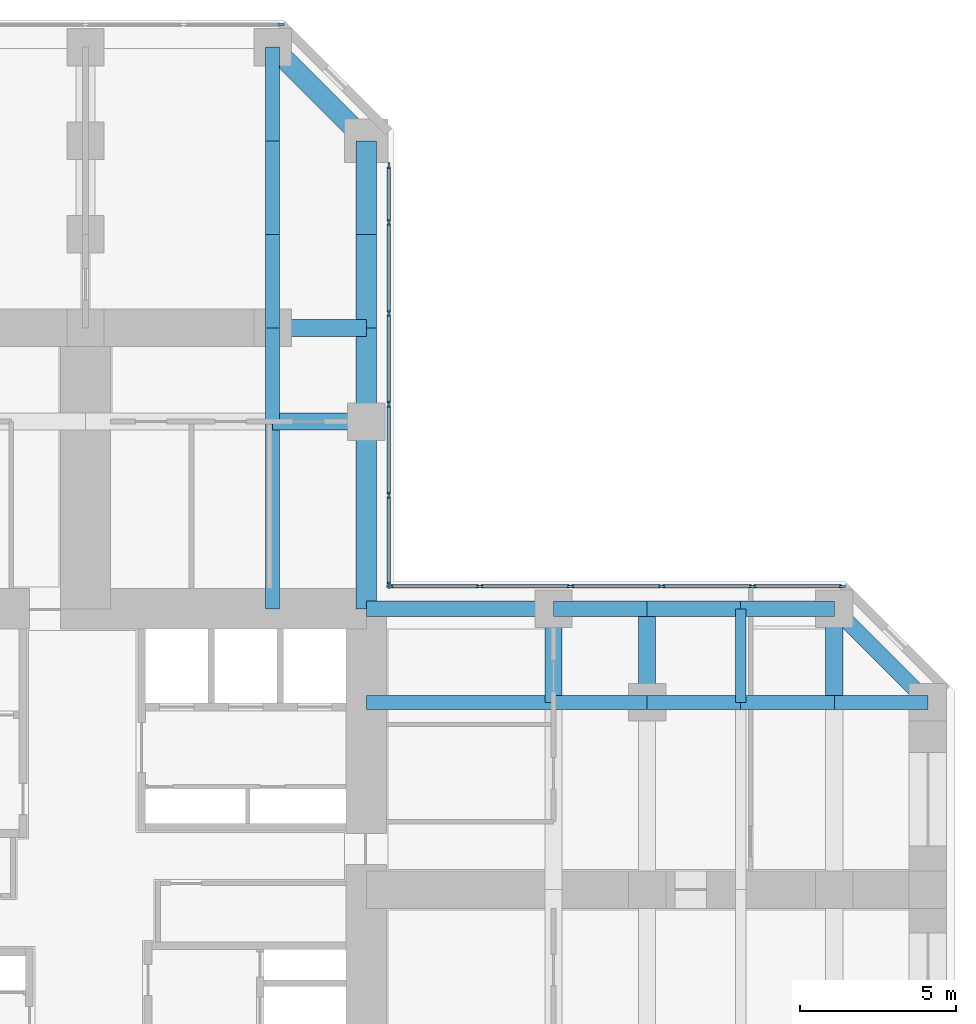
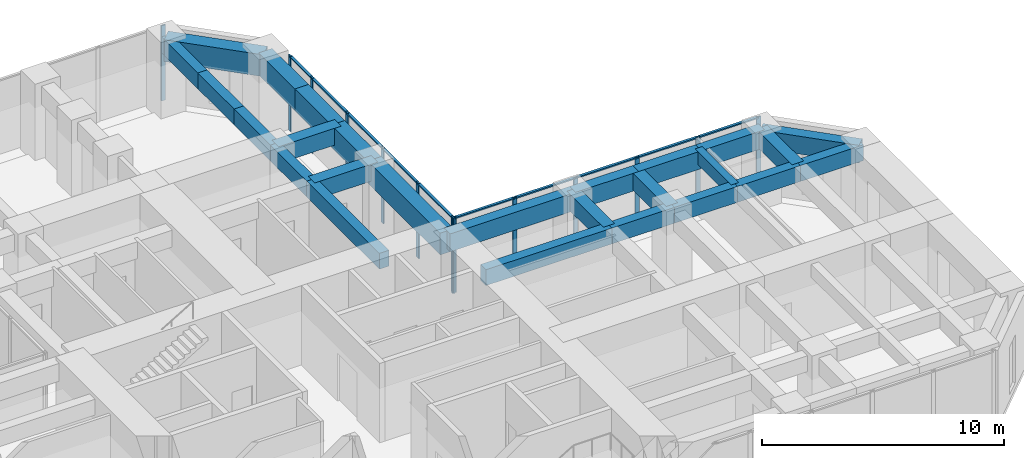
# One storey, part 6 of 12: 26 beams, 23 members, 3 elements without a shape of their own.
"""IFC4 building model written with IfcOpenShell, lengths in metres."""

from ifc_helpers import new_model, si_unit, direction, frame, origin, origin_2d, place, context, subcontext, project, spatial, rectangle, extrude, material, material_profile, profile_set, type_object, element, aggregate, save


model = new_model("IFC4")

# Units and contexts
model_context = context("Model", 3, precision=1e-05, world=origin(), true_north=direction((0.0, 1.0)))
body_context = subcontext(model_context, "Body", "Model", "MODEL_VIEW")
ifc_project = project(units=[si_unit("LENGTHUNIT", "METRE"), si_unit("AREAUNIT", "SQUARE_METRE"), si_unit("VOLUMEUNIT", "CUBIC_METRE"), si_unit("PLANEANGLEUNIT", "RADIAN"), si_unit("MASSUNIT", "GRAM", prefix="KILO")], contexts=[model_context])

# Site, building, storey
site_placement = place(None, origin())
site = spatial("IfcSite", under=ifc_project, at=site_placement, CompositionType="ELEMENT")
building_placement = place(site_placement, origin())
building = spatial("IfcBuilding", under=site, at=building_placement, Name="Torre Cruceta", CompositionType="ELEMENT")
storey_placement = place(building_placement, frame((0.0, 0.0, 79.5)))
storey = spatial("IfcBuildingStorey", under=building, at=storey_placement, Name="L19", CompositionType="ELEMENT", Elevation=79.5)

# Beams
ifc_material_1 = material(Name="Concrete G60 (fck 60 MPa)", Category="concrete")
ifc_material_profile_1 = material_profile(ifc_material_1, rectangle(XDim=0.449951171875, YDim=0.800048828125, at=origin_2d()), Name="RC 450X800")
ifc_profile_set_1 = profile_set([ifc_material_profile_1], Name="Concrete G60 (fck 60 MPa)")
beam_type_1 = type_object("IfcBeamType", Name="COLUMN LINE BEAM RC 450X800", PredefinedType="BEAM", material=ifc_profile_set_1)
beam_1_placement = place(storey_placement, frame((6.0, 9.0, 3.39990234375), z_axis=(0.0, 1.0, 0.0), x_axis=(-1.0, 0.0, 0.0)))
element("IfcBeam", 1, at=beam_1_placement, inside=storey, type_object=beam_type_1, Name="LB1 L19 N col- 1", PredefinedType="BEAM", context=body_context, shape_type="SweptSolid", body=[
    extrude(rectangle(XDim=0.449951171875, YDim=0.800048828125, at=origin_2d()), origin(), (0.0, 0.0, 1.0), 6.0),
])
for number, where, z_axis, x_axis, name in (
    (2, (6.0, 15.0, 3.39990234375), (0.0, 1.0, 0.0), (-1.0, 0.0, 0.0), "LB1 L19 N col- 2"),
    (3, (6.0, 18.0, 3.39990234375), (0.0, 1.0, 0.0), (-1.0, 0.0, 0.0), "LB1 L19 N col- 3"),
    (4, (6.0, 21.0, 3.39990234375), (0.0, 1.0, 0.0), (-1.0, 0.0, 0.0), "LB1 L19 N col- 4"),
    (5, (6.0, 24.0, 3.39990234375), (0.0, 1.0, 0.0), (-1.0, 0.0, 0.0), "LB1 L19 N col- 5"),
):
    element("IfcBeam", number, at=place(storey_placement, frame(where, z_axis=z_axis, x_axis=x_axis)), inside=storey, type_object=beam_type_1, Name=name, PredefinedType="BEAM", context=body_context, shape_type="SweptSolid", body=[
        extrude(rectangle(XDim=0.449951171875, YDim=0.800048828125, at=origin_2d()), origin(), (0.0, 0.0, 1.0), 3.0),
    ])
beam_2_placement = place(storey_placement, frame((9.0, 6.0, 3.39990234375), z_axis=(1.0, 0.0, 0.0), x_axis=(0.0, 1.0, 0.0)))
element("IfcBeam", 6, at=beam_2_placement, inside=storey, type_object=beam_type_1, Name="LB1 L19 E col+ 1", PredefinedType="BEAM", context=body_context, shape_type="SweptSolid", body=[
    extrude(rectangle(XDim=0.449951171875, YDim=0.800048828125, at=origin_2d()), origin(), (0.0, 0.0, 1.0), 6.0),
])
for number, where, z_axis, x_axis, name in (
    (7, (15.0, 6.0, 3.39990234375), (1.0, 0.0, 0.0), (0.0, 1.0, 0.0), "LB1 L19 E col+ 2"),
    (8, (18.0, 6.0, 3.39990234375), (1.0, 0.0, 0.0), (0.0, 1.0, 0.0), "LB1 L19 E col+ 3"),
    (9, (21.0, 6.0, 3.39990234375), (1.0, 0.0, 0.0), (0.0, 1.0, 0.0), "LB1 L19 E col+ 4"),
    (10, (24.0, 6.0, 3.39990234375), (1.0, 0.0, 0.0), (0.0, 1.0, 0.0), "LB1 L19 E col+ 5"),
):
    element("IfcBeam", number, at=place(storey_placement, frame(where, z_axis=z_axis, x_axis=x_axis)), inside=storey, type_object=beam_type_1, Name=name, PredefinedType="BEAM", context=body_context, shape_type="SweptSolid", body=[
        extrude(rectangle(XDim=0.449951171875, YDim=0.800048828125, at=origin_2d()), origin(), (0.0, 0.0, 1.0), 3.0),
    ])
ifc_material_2 = material(Name="Concrete G60 (fck 60 MPa)", Category="concrete")
ifc_material_profile_2 = material_profile(ifc_material_2, rectangle(XDim=0.550048828125, YDim=0.85009765625, at=origin_2d()), Name="RC 550X850")
ifc_profile_set_2 = profile_set([ifc_material_profile_2], Name="Concrete G60 (fck 60 MPa)")
beam_type_2 = type_object("IfcBeamType", Name="CROSS BEAM RC 550X850", PredefinedType="BEAM", material=ifc_profile_set_2)
for number, where, z_axis, x_axis, name in (
    (11, (9.0, 15.0, 3.375), (-1.0, 0.0, 0.0), (0.0, -1.0, 0.0), "GB4 L19 N cross15 1"),
    (12, (9.0, 18.0, 3.375), (-1.0, 0.0, 0.0), (0.0, -1.0, 0.0), "GB4 L19 N cross18 1"),
    (13, (15.0, 6.0, 3.375), (0.0, 1.0, 0.0), (-1.0, 0.0, 0.0), "GB4 L19 E cross15 4"),
    (14, (18.0, 6.0, 3.375), (0.0, 1.0, 0.0), (-1.0, 0.0, 0.0), "GB4 L19 E cross18 4"),
    (15, (24.0, 6.0, 3.375), (0.0, 1.0, 0.0), (-1.0, 0.0, 0.0), "GB4 L19 E cross24 4"),
):
    element("IfcBeam", number, at=place(storey_placement, frame(where, z_axis=z_axis, x_axis=x_axis)), inside=storey, type_object=beam_type_2, Name=name, PredefinedType="BEAM", context=body_context, shape_type="SweptSolid", body=[
        extrude(rectangle(XDim=0.550048828125, YDim=0.85009765625, at=origin_2d()), origin(), (0.0, 0.0, 1.0), 3.0),
    ])

# Curtain wall, members
ifc_material_3 = material(Name="Aluminium unitised curtain wall", Category="aluminium")
curtain_wall_type = type_object("IfcCurtainWallType", Name="CURTAIN WALL CW-A OFFICE LOW RISE", PredefinedType="USERDEFINED", material=ifc_material_3)
curtain_wall_1_placement = place(storey_placement, origin())
curtain_wall_1 = element("IfcCurtainWall", 16, at=curtain_wall_1_placement, inside=storey, type_object=curtain_wall_type, Name="CW-A L19 E side 04", ObjectType="UNITISED", PredefinedType="USERDEFINED")
ifc_material_4 = material(Name="Aluminium mullion", Category="aluminium")
ifc_material_profile_3 = material_profile(ifc_material_4, rectangle(XDim=0.06494140625, YDim=0.199951171875, at=origin_2d()), Name="AL 65X200")
ifc_profile_set_3 = profile_set([ifc_material_profile_3], Name="Aluminium mullion")
member_type_1 = type_object("IfcMemberType", Name="CW-A MULLION 65X200", PredefinedType="MULLION", material=ifc_profile_set_3)
member_1_placement = place(storey_placement, frame((24.265625, 9.719970703125, 0.0), z_axis=(0.0, 0.0, 1.0), x_axis=(0.0, -1.0, 0.0)))
member_1 = element("IfcMember", 17, at=member_1_placement, type_object=member_type_1, Name="CW-A mullion 1", PredefinedType="MULLION", context=body_context, shape_type="SweptSolid", body=[
    extrude(rectangle(XDim=0.06494140625, YDim=0.199951171875, at=origin_2d()), origin(), (0.0, 0.0, 1.0), 3.800048828125),
])
member_2_placement = place(storey_placement, frame((21.382568359375, 9.719970703125, 0.0), z_axis=(0.0, 0.0, 1.0), x_axis=(0.0, -1.0, 0.0)))
member_2 = element("IfcMember", 18, at=member_2_placement, type_object=member_type_1, Name="CW-A mullion 2", PredefinedType="MULLION", context=body_context, shape_type="SweptSolid", body=[
    extrude(rectangle(XDim=0.06494140625, YDim=0.199951171875, at=origin_2d()), origin(), (0.0, 0.0, 1.0), 3.800048828125),
])
member_3_placement = place(storey_placement, frame((18.467041015625, 9.719970703125, 0.0), z_axis=(0.0, 0.0, 1.0), x_axis=(0.0, -1.0, 0.0)))
member_3 = element("IfcMember", 19, at=member_3_placement, type_object=member_type_1, Name="CW-A mullion 3", PredefinedType="MULLION", context=body_context, shape_type="SweptSolid", body=[
    extrude(rectangle(XDim=0.06494140625, YDim=0.199951171875, at=origin_2d()), origin(), (0.0, 0.0, 1.0), 3.800048828125),
])
member_4_placement = place(storey_placement, frame((15.55126953125, 9.719970703125, 0.0), z_axis=(0.0, 0.0, 1.0), x_axis=(0.0, -1.0, 0.0)))
member_4 = element("IfcMember", 20, at=member_4_placement, type_object=member_type_1, Name="CW-A mullion 4", PredefinedType="MULLION", context=body_context, shape_type="SweptSolid", body=[
    extrude(rectangle(XDim=0.06494140625, YDim=0.199951171875, at=origin_2d()), origin(), (0.0, 0.0, 1.0), 3.800048828125),
])
member_5_placement = place(storey_placement, frame((12.6357421875, 9.719970703125, 0.0), z_axis=(0.0, 0.0, 1.0), x_axis=(0.0, -1.0, 0.0)))
member_5 = element("IfcMember", 21, at=member_5_placement, type_object=member_type_1, Name="CW-A mullion 5", PredefinedType="MULLION", context=body_context, shape_type="SweptSolid", body=[
    extrude(rectangle(XDim=0.06494140625, YDim=0.199951171875, at=origin_2d()), origin(), (0.0, 0.0, 1.0), 3.800048828125),
])
member_6_placement = place(storey_placement, frame((9.75244140625, 9.719970703125, 0.0), z_axis=(0.0, 0.0, 1.0), x_axis=(0.0, -1.0, 0.0)))
member_6 = element("IfcMember", 22, at=member_6_placement, type_object=member_type_1, Name="CW-A mullion 6", PredefinedType="MULLION", context=body_context, shape_type="SweptSolid", body=[
    extrude(rectangle(XDim=0.06494140625, YDim=0.199951171875, at=origin_2d()), origin(), (0.0, 0.0, 1.0), 3.800048828125),
])

curtain_wall_2_placement = place(storey_placement, origin())
curtain_wall_2 = element("IfcCurtainWall", 23, at=curtain_wall_2_placement, inside=storey, type_object=curtain_wall_type, Name="CW-A L19 N side 05", ObjectType="UNITISED", PredefinedType="USERDEFINED")
member_7_placement = place(storey_placement, frame((9.719970703125, 9.75244140625, 0.0), z_axis=(0.0, 0.0, 1.0), x_axis=(-1.0, 0.0, 0.0)))
member_7 = element("IfcMember", 24, at=member_7_placement, type_object=member_type_1, Name="CW-A mullion 1", PredefinedType="MULLION", context=body_context, shape_type="SweptSolid", body=[
    extrude(rectangle(XDim=0.06494140625, YDim=0.199951171875, at=origin_2d()), origin(), (0.0, 0.0, 1.0), 3.800048828125),
])
member_8_placement = place(storey_placement, frame((9.719970703125, 12.6357421875, 0.0), z_axis=(0.0, 0.0, 1.0), x_axis=(-1.0, 0.0, 0.0)))
member_8 = element("IfcMember", 25, at=member_8_placement, type_object=member_type_1, Name="CW-A mullion 2", PredefinedType="MULLION", context=body_context, shape_type="SweptSolid", body=[
    extrude(rectangle(XDim=0.06494140625, YDim=0.199951171875, at=origin_2d()), origin(), (0.0, 0.0, 1.0), 3.800048828125),
])
member_9_placement = place(storey_placement, frame((9.719970703125, 15.55126953125, 0.0), z_axis=(0.0, 0.0, 1.0), x_axis=(-1.0, 0.0, 0.0)))
member_9 = element("IfcMember", 26, at=member_9_placement, type_object=member_type_1, Name="CW-A mullion 3", PredefinedType="MULLION", context=body_context, shape_type="SweptSolid", body=[
    extrude(rectangle(XDim=0.06494140625, YDim=0.199951171875, at=origin_2d()), origin(), (0.0, 0.0, 1.0), 3.800048828125),
])
member_10_placement = place(storey_placement, frame((9.719970703125, 18.467041015625, 0.0), z_axis=(0.0, 0.0, 1.0), x_axis=(-1.0, 0.0, 0.0)))
member_10 = element("IfcMember", 27, at=member_10_placement, type_object=member_type_1, Name="CW-A mullion 4", PredefinedType="MULLION", context=body_context, shape_type="SweptSolid", body=[
    extrude(rectangle(XDim=0.06494140625, YDim=0.199951171875, at=origin_2d()), origin(), (0.0, 0.0, 1.0), 3.800048828125),
])
member_11_placement = place(storey_placement, frame((9.719970703125, 21.382568359375, 0.0), z_axis=(0.0, 0.0, 1.0), x_axis=(-1.0, 0.0, 0.0)))
member_11 = element("IfcMember", 28, at=member_11_placement, type_object=member_type_1, Name="CW-A mullion 5", PredefinedType="MULLION", context=body_context, shape_type="SweptSolid", body=[
    extrude(rectangle(XDim=0.06494140625, YDim=0.199951171875, at=origin_2d()), origin(), (0.0, 0.0, 1.0), 3.800048828125),
])
member_12_placement = place(storey_placement, frame((9.719970703125, 23.198974609375, 0.0), z_axis=(0.0, 0.0, 1.0), x_axis=(-1.0, 0.0, 0.0)))
member_12 = element("IfcMember", 29, at=member_12_placement, type_object=member_type_1, Name="CW-A mullion 6", PredefinedType="MULLION", context=body_context, shape_type="SweptSolid", body=[
    extrude(rectangle(XDim=0.06494140625, YDim=0.199951171875, at=origin_2d()), origin(), (0.0, 0.0, 1.0), 3.800048828125),
])

# Curtain wall, member
curtain_wall_3_placement = place(storey_placement, origin())
curtain_wall_3 = element("IfcCurtainWall", 30, at=curtain_wall_3_placement, inside=storey, type_object=curtain_wall_type, Name="CW-A L19 N tip 07", ObjectType="UNITISED", PredefinedType="USERDEFINED")
member_13_placement = place(storey_placement, frame((6.265625, 27.719970703125, 0.0), z_axis=(0.0, 0.0, 1.0), x_axis=(0.0, -1.0, 0.0)))
member_13 = element("IfcMember", 31, at=member_13_placement, type_object=member_type_1, Name="CW-A mullion 1", PredefinedType="MULLION", context=body_context, shape_type="SweptSolid", body=[
    extrude(rectangle(XDim=0.06494140625, YDim=0.199951171875, at=origin_2d()), origin(), (0.0, 0.0, 1.0), 3.800048828125),
])
aggregate(curtain_wall_3, [member_13])

# Member
ifc_material_5 = material(Name="Aluminium transom", Category="aluminium")
ifc_material_profile_4 = material_profile(ifc_material_5, rectangle(XDim=0.1201171875, YDim=0.06494140625, at=origin_2d()), Name="AL 120X65")
ifc_profile_set_4 = profile_set([ifc_material_profile_4], Name="Aluminium transom")
member_type_2 = type_object("IfcMemberType", Name="CW-A TRANSOM 65X120", PredefinedType="USERDEFINED", material=ifc_profile_set_4)
member_14_placement = place(storey_placement, frame((24.233154296875, 9.719970703125, 3.767578125), z_axis=(-1.0, 0.0, 0.0), x_axis=(0.0, -1.0, 0.0)))
member_14 = element("IfcMember", 32, at=member_14_placement, type_object=member_type_2, Name="CW-A transom 1", ObjectType="TRANSOM", PredefinedType="USERDEFINED", context=body_context, shape_type="SweptSolid", body=[
    extrude(rectangle(XDim=0.1201171875, YDim=0.06494140625, at=origin_2d()), origin(), (0.0, 0.0, 1.0), 2.818115234375),
])

member_15_placement = place(storey_placement, frame((21.35009765625, 9.719970703125, 3.767578125), z_axis=(-1.0, 0.0, 0.0), x_axis=(0.0, -1.0, 0.0)))
member_15 = element("IfcMember", 33, at=member_15_placement, type_object=member_type_2, Name="CW-A transom 2", ObjectType="TRANSOM", PredefinedType="USERDEFINED", context=body_context, shape_type="SweptSolid", body=[
    extrude(rectangle(XDim=0.1201171875, YDim=0.06494140625, at=origin_2d()), origin(), (0.0, 0.0, 1.0), 2.8505859375),
])

member_16_placement = place(storey_placement, frame((18.434326171875, 9.719970703125, 3.767578125), z_axis=(-1.0, 0.0, 0.0), x_axis=(0.0, -1.0, 0.0)))
member_16 = element("IfcMember", 34, at=member_16_placement, type_object=member_type_2, Name="CW-A transom 3", ObjectType="TRANSOM", PredefinedType="USERDEFINED", context=body_context, shape_type="SweptSolid", body=[
    extrude(rectangle(XDim=0.1201171875, YDim=0.06494140625, at=origin_2d()), origin(), (0.0, 0.0, 1.0), 2.8505859375),
])

member_17_placement = place(storey_placement, frame((15.518798828125, 9.719970703125, 3.767578125), z_axis=(-1.0, 0.0, 0.0), x_axis=(0.0, -1.0, 0.0)))
member_17 = element("IfcMember", 35, at=member_17_placement, type_object=member_type_2, Name="CW-A transom 4", ObjectType="TRANSOM", PredefinedType="USERDEFINED", context=body_context, shape_type="SweptSolid", body=[
    extrude(rectangle(XDim=0.1201171875, YDim=0.06494140625, at=origin_2d()), origin(), (0.0, 0.0, 1.0), 2.8505859375),
])

member_18_placement = place(storey_placement, frame((12.60302734375, 9.719970703125, 3.767578125), z_axis=(-1.0, 0.0, 0.0), x_axis=(0.0, -1.0, 0.0)))
member_18 = element("IfcMember", 36, at=member_18_placement, type_object=member_type_2, Name="CW-A transom 5", ObjectType="TRANSOM", PredefinedType="USERDEFINED", context=body_context, shape_type="SweptSolid", body=[
    extrude(rectangle(XDim=0.1201171875, YDim=0.06494140625, at=origin_2d()), origin(), (0.0, 0.0, 1.0), 2.818115234375),
])

aggregate(curtain_wall_1, [member_1, member_2, member_3, member_4, member_5, member_6, member_14, member_15, member_16, member_17, member_18])

member_19_placement = place(storey_placement, frame((9.719970703125, 9.784912109375, 3.767578125), z_axis=(0.0, 1.0, 0.0), x_axis=(-1.0, 0.0, 0.0)))
member_19 = element("IfcMember", 37, at=member_19_placement, type_object=member_type_2, Name="CW-A transom 1", ObjectType="TRANSOM", PredefinedType="USERDEFINED", context=body_context, shape_type="SweptSolid", body=[
    extrude(rectangle(XDim=0.1201171875, YDim=0.06494140625, at=origin_2d()), origin(), (0.0, 0.0, 1.0), 2.818115234375),
])

member_20_placement = place(storey_placement, frame((9.719970703125, 12.668212890625, 3.767578125), z_axis=(0.0, 1.0, 0.0), x_axis=(-1.0, 0.0, 0.0)))
member_20 = element("IfcMember", 38, at=member_20_placement, type_object=member_type_2, Name="CW-A transom 2", ObjectType="TRANSOM", PredefinedType="USERDEFINED", context=body_context, shape_type="SweptSolid", body=[
    extrude(rectangle(XDim=0.1201171875, YDim=0.06494140625, at=origin_2d()), origin(), (0.0, 0.0, 1.0), 2.8505859375),
])

member_21_placement = place(storey_placement, frame((9.719970703125, 15.583740234375, 3.767578125), z_axis=(0.0, 1.0, 0.0), x_axis=(-1.0, 0.0, 0.0)))
member_21 = element("IfcMember", 39, at=member_21_placement, type_object=member_type_2, Name="CW-A transom 3", ObjectType="TRANSOM", PredefinedType="USERDEFINED", context=body_context, shape_type="SweptSolid", body=[
    extrude(rectangle(XDim=0.1201171875, YDim=0.06494140625, at=origin_2d()), origin(), (0.0, 0.0, 1.0), 2.8505859375),
])

member_22_placement = place(storey_placement, frame((9.719970703125, 18.49951171875, 3.767578125), z_axis=(0.0, 1.0, 0.0), x_axis=(-1.0, 0.0, 0.0)))
member_22 = element("IfcMember", 40, at=member_22_placement, type_object=member_type_2, Name="CW-A transom 4", ObjectType="TRANSOM", PredefinedType="USERDEFINED", context=body_context, shape_type="SweptSolid", body=[
    extrude(rectangle(XDim=0.1201171875, YDim=0.06494140625, at=origin_2d()), origin(), (0.0, 0.0, 1.0), 2.8505859375),
])

member_23_placement = place(storey_placement, frame((9.719970703125, 21.4150390625, 3.767578125), z_axis=(0.0, 1.0, 0.0), x_axis=(-1.0, 0.0, 0.0)))
member_23 = element("IfcMember", 41, at=member_23_placement, type_object=member_type_2, Name="CW-A transom 5", ObjectType="TRANSOM", PredefinedType="USERDEFINED", context=body_context, shape_type="SweptSolid", body=[
    extrude(rectangle(XDim=0.1201171875, YDim=0.06494140625, at=origin_2d()), origin(), (0.0, 0.0, 1.0), 1.75146484375),
])

aggregate(curtain_wall_2, [member_7, member_8, member_9, member_10, member_11, member_12, member_19, member_20, member_21, member_22, member_23])

# Beams
ifc_material_6 = material(Name="Concrete G60 (fck 60 MPa)", Category="concrete")
ifc_material_profile_5 = material_profile(ifc_material_6, rectangle(XDim=0.35009765625, YDim=0.64990234375, at=origin_2d()), Name="RC 350X650")
ifc_profile_set_5 = profile_set([ifc_material_profile_5], Name="Concrete G60 (fck 60 MPa)")
beam_type_3 = type_object("IfcBeamType", Name="SECONDARY BEAM RC 350X650", PredefinedType="JOIST", material=ifc_profile_set_5)
beam_3_placement = place(storey_placement, frame((21.0, 6.0, 3.47509765625), z_axis=(0.0, 1.0, 0.0), x_axis=(-1.0, 0.0, 0.0)))
element("IfcBeam", 42, at=beam_3_placement, inside=storey, type_object=beam_type_3, Name="JB3 L19 E sec21 4", PredefinedType="JOIST", context=body_context, shape_type="SweptSolid", body=[
    extrude(rectangle(XDim=0.35009765625, YDim=0.64990234375, at=origin_2d()), origin(), (0.0, 0.0, 1.0), 3.0),
])
ifc_material_7 = material(Name="Concrete G60 (fck 60 MPa)", Category="concrete")
ifc_material_profile_6 = material_profile(ifc_material_7, rectangle(XDim=0.5, YDim=0.89990234375, at=origin_2d()), Name="RC 500X900")
ifc_profile_set_6 = profile_set([ifc_material_profile_6], Name="Concrete G60 (fck 60 MPa)")
beam_type_4 = type_object("IfcBeamType", Name="SPANDREL BEAM RC 500X900", PredefinedType="SPANDREL", material=ifc_profile_set_6)
beam_4_placement = place(storey_placement, frame((9.0, 9.0, 3.35009765625), z_axis=(1.0, 0.0, 0.0), x_axis=(0.0, 1.0, 0.0)))
element("IfcBeam", 43, at=beam_4_placement, inside=storey, type_object=beam_type_4, Name="SB4 L19 E side+ 1", PredefinedType="SPANDREL", context=body_context, shape_type="SweptSolid", body=[
    extrude(rectangle(XDim=0.5, YDim=0.89990234375, at=origin_2d()), origin(), (0.0, 0.0, 1.0), 6.0),
])
for number, where, z_axis, x_axis, name in (
    (44, (15.0, 9.0, 3.35009765625), (1.0, 0.0, 0.0), (0.0, 1.0, 0.0), "SB4 L19 E side+ 2"),
    (45, (18.0, 9.0, 3.35009765625), (1.0, 0.0, 0.0), (0.0, 1.0, 0.0), "SB4 L19 E side+ 3"),
    (46, (21.0, 9.0, 3.35009765625), (1.0, 0.0, 0.0), (0.0, 1.0, 0.0), "SB4 L19 E side+ 4"),
):
    element("IfcBeam", number, at=place(storey_placement, frame(where, z_axis=z_axis, x_axis=x_axis)), inside=storey, type_object=beam_type_4, Name=name, PredefinedType="SPANDREL", context=body_context, shape_type="SweptSolid", body=[
        extrude(rectangle(XDim=0.5, YDim=0.89990234375, at=origin_2d()), origin(), (0.0, 0.0, 1.0), 3.0),
    ])
beam_5_placement = place(storey_placement, frame((24.0, 9.0, 3.35009765625), z_axis=(0.707106781187, -0.707106781187, 0.0), x_axis=(0.707106781187, 0.707106781187, 0.0)))
element("IfcBeam", 47, at=beam_5_placement, inside=storey, type_object=beam_type_4, Name="SB4 L19 E side+ 5", PredefinedType="SPANDREL", context=body_context, shape_type="SweptSolid", body=[
    extrude(rectangle(XDim=0.5, YDim=0.89990234375, at=origin_2d()), origin(), (0.0, 0.0, 1.0), 4.24267578125),
])
ifc_material_8 = material(Name="Concrete G60 (fck 60 MPa)", Category="concrete")
ifc_material_profile_7 = material_profile(ifc_material_8, rectangle(XDim=0.64990234375, YDim=1.10009765625, at=origin_2d()), Name="RC 650X1100")
ifc_profile_set_7 = profile_set([ifc_material_profile_7], Name="Concrete G60 (fck 60 MPa)")
beam_type_5 = type_object("IfcBeamType", Name="SPANDREL BEAM RC 650X1100", PredefinedType="SPANDREL", material=ifc_profile_set_7)
beam_6_placement = place(storey_placement, frame((9.0, 9.0, 3.25), z_axis=(0.0, 1.0, 0.0), x_axis=(-1.0, 0.0, 0.0)))
element("IfcBeam", 48, at=beam_6_placement, inside=storey, type_object=beam_type_5, Name="SB3 L19 N side- 1", PredefinedType="SPANDREL", context=body_context, shape_type="SweptSolid", body=[
    extrude(rectangle(XDim=0.64990234375, YDim=1.10009765625, at=origin_2d()), origin(), (0.0, 0.0, 1.0), 6.0),
])
for number, where, z_axis, x_axis, name in (
    (49, (9.0, 15.0, 3.25), (0.0, 1.0, 0.0), (-1.0, 0.0, 0.0), "SB3 L19 N side- 2"),
    (50, (9.0, 18.0, 3.25), (0.0, 1.0, 0.0), (-1.0, 0.0, 0.0), "SB3 L19 N side- 3"),
    (51, (9.0, 21.0, 3.25), (0.0, 1.0, 0.0), (-1.0, 0.0, 0.0), "SB3 L19 N side- 4"),
):
    element("IfcBeam", number, at=place(storey_placement, frame(where, z_axis=z_axis, x_axis=x_axis)), inside=storey, type_object=beam_type_5, Name=name, PredefinedType="SPANDREL", context=body_context, shape_type="SweptSolid", body=[
        extrude(rectangle(XDim=0.64990234375, YDim=1.10009765625, at=origin_2d()), origin(), (0.0, 0.0, 1.0), 3.0),
    ])
beam_7_placement = place(storey_placement, frame((9.0, 24.0, 3.25), z_axis=(-0.707106781187, 0.707106781187, 0.0), x_axis=(-0.707106781187, -0.707106781187, 0.0)))
element("IfcBeam", 52, at=beam_7_placement, inside=storey, type_object=beam_type_5, Name="SB3 L19 N side- 5", PredefinedType="SPANDREL", context=body_context, shape_type="SweptSolid", body=[
    extrude(rectangle(XDim=0.64990234375, YDim=1.10009765625, at=origin_2d()), origin(), (0.0, 0.0, 1.0), 4.24267578125),
])

save(model, "model.ifc")
